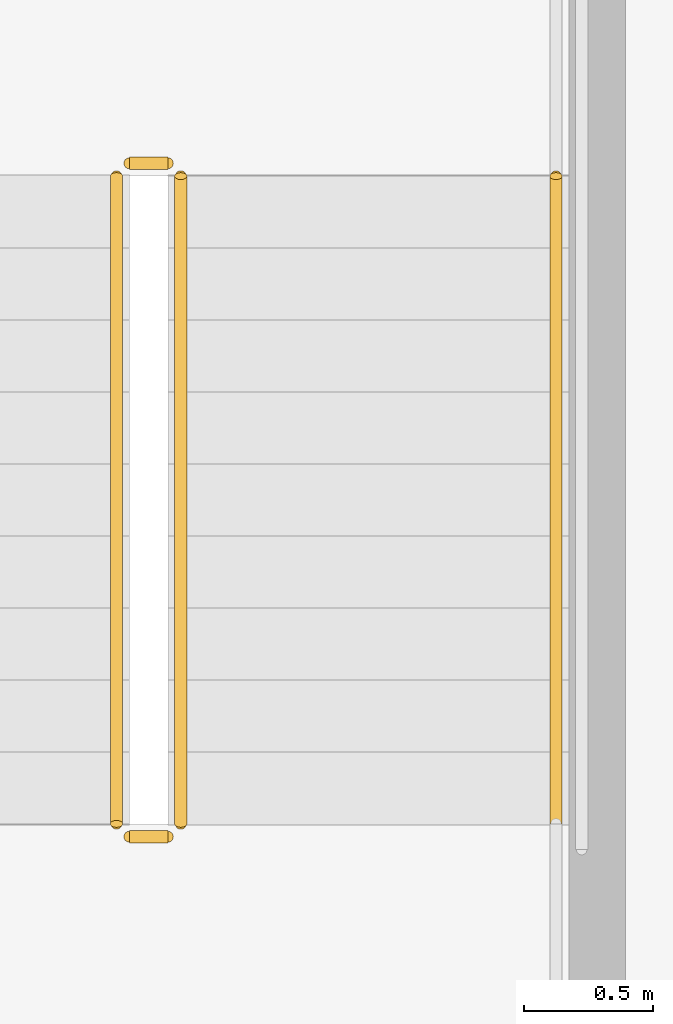
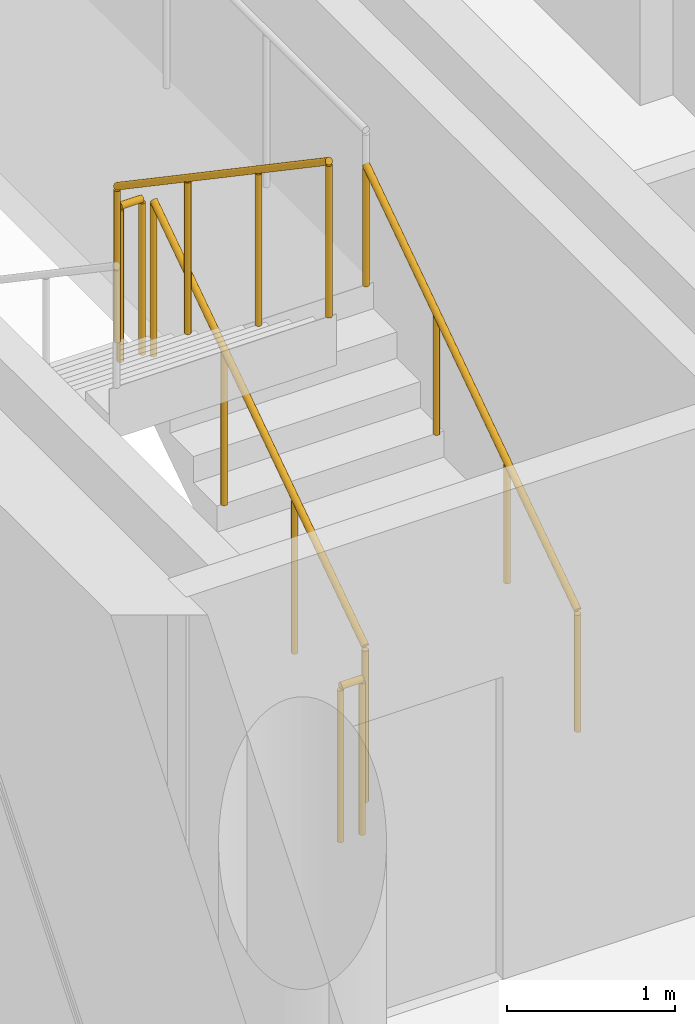
# One storey, part 14 of 16: 5 railings.
"""IFC4 building model written with IfcOpenShell, lengths in metres."""

import ifcopenshell
import ifcopenshell.guid

model = None  # the IFC model being written
_history = None  # IfcOwnerHistory: only IFC2X3 demands one
_inside = {}  # id of a spatial element -> (the spatial element, [elements in it])
_under = {}  # id of a project, library or spatial element -> (it, [spatial elements below it])
_declared = {}  # id of a project -> (the project, [libraries it declares])
_typed = {}  # id of a type object -> (the type object, [elements of that type])
_made_of = {}  # id of a material, layer set ... -> (it, [elements and type objects made of it])


def new_model(schema):
    """Start an empty IFC model of exactly this schema.

    Asked for "IFC4X3", IfcOpenShell would pick the latest addendum, in which some entities
    have other attributes; the version numbers below select the first issue.
    IFC2X3 requires an IfcOwnerHistory on every rooted entity: one is made here for all.
    """
    global model, _history
    if schema == "IFC4X3":
        model = ifcopenshell.file(schema_version=(4, 3, 0, 0))
    else:
        model = ifcopenshell.file(schema=schema)
    _inside.clear()
    _under.clear()
    _declared.clear()
    _typed.clear()
    _made_of.clear()
    _history = None
    if model.schema == "IFC2X3":
        org = make("IfcOrganization", Name="unknown")
        user = make(
            "IfcPersonAndOrganization",
            ThePerson=make("IfcPerson", FamilyName="unknown"),
            TheOrganization=org,
        )
        app = make(
            "IfcApplication",
            ApplicationDeveloper=org,
            Version="unknown",
            ApplicationFullName="unknown",
            ApplicationIdentifier="unknown",
        )
        _history = make(
            "IfcOwnerHistory",
            OwningUser=user,
            OwningApplication=app,
            ChangeAction="ADDED",
            CreationDate=0,
        )
    return model


def make(cls, **values):
    """One entity of the class cls with the attributes given. An attribute that is None is left unset."""
    return model.create_entity(
        cls, **{name: value for name, value in values.items() if value is not None}
    )


def rooted(cls, **values):
    """An entity with a GlobalId (a new one), such as an element, a storey or a relation."""
    return make(cls, GlobalId=ifcopenshell.guid.new(), OwnerHistory=_history, **values)


def si_unit(unit_type, name, prefix=None):
    """IfcSIUnit, for example si_unit("LENGTHUNIT", "METRE", prefix="MILLI")."""
    return make("IfcSIUnit", UnitType=unit_type, Prefix=prefix, Name=name)


def assignment(units):
    """IfcUnitAssignment: the units of a project."""
    return None if units is None else make("IfcUnitAssignment", Units=units)


def point(xyz):
    """IfcCartesianPoint."""
    return None if xyz is None else make("IfcCartesianPoint", Coordinates=xyz)


def direction(xyz):
    """IfcDirection."""
    return None if xyz is None else make("IfcDirection", DirectionRatios=xyz)


def frame(location, z_axis=None, x_axis=None):
    """IfcAxis2Placement3D, a coordinate frame: its origin and axes. An axis left out is left unset."""
    return make(
        "IfcAxis2Placement3D",
        Location=point(location),
        Axis=direction(z_axis),
        RefDirection=direction(x_axis),
    )


def frame_2d(location, x_axis=None):
    """IfcAxis2Placement2D, a coordinate frame in the plane: its origin and x axis."""
    return make(
        "IfcAxis2Placement2D", Location=point(location), RefDirection=direction(x_axis)
    )


def origin():
    """The frame at (0, 0, 0) with its axes left unset."""
    return frame((0.0, 0.0, 0.0))


def origin_2d():
    """The frame at (0, 0) in the plane with its x axis left unset."""
    return frame_2d((0.0, 0.0))


def place(relative_to, where):
    """IfcLocalPlacement: puts the frame where relative to a parent placement (None: the world)."""
    return make(
        "IfcLocalPlacement", PlacementRelTo=relative_to, RelativePlacement=where
    )


def context(
    kind, dimensions, precision=None, world=None, true_north=None, identifier=None
):
    """IfcGeometricRepresentationContext, for example the 3D "Model" context."""
    return make(
        "IfcGeometricRepresentationContext",
        ContextIdentifier=identifier,
        ContextType=kind,
        CoordinateSpaceDimension=dimensions,
        Precision=precision,
        WorldCoordinateSystem=world,
        TrueNorth=true_north,
    )


def subcontext(parent, identifier, kind, view, scale=None):
    """IfcGeometricRepresentationSubContext, for example "Body" below "Model"."""
    return make(
        "IfcGeometricRepresentationSubContext",
        ContextIdentifier=identifier,
        ContextType=kind,
        ParentContext=parent,
        TargetScale=scale,
        TargetView=view,
    )


def project(units=None, contexts=None):
    """IfcProject with its units and contexts."""
    return rooted(
        "IfcProject",
        Name="project",
        RepresentationContexts=contexts,
        UnitsInContext=assignment(units),
    )


def spatial(cls, under=None, at=None, **own):
    """A site, building, storey or space (cls), placed at a placement, below another one or the project."""
    s = rooted(cls, ObjectPlacement=at, **own)
    if under is not None:
        _under.setdefault(under.id(), (under, []))[1].append(s)
    return s


def profile(cls, at=None, kind="AREA", **sizes):
    """A parametric profile (cls). Its sizes go by their IFC names, for example OverallWidth=200.0."""
    return make(cls, ProfileType=kind, Position=at, **sizes)


def circle(**sizes):
    """IfcCircleProfileDef."""
    return profile("IfcCircleProfileDef", **sizes)


def extrude(swept, where, along, depth):
    """IfcExtrudedAreaSolid: the profile swept, set in the frame where, extruded along a direction by depth."""
    return make(
        "IfcExtrudedAreaSolid",
        SweptArea=swept,
        Position=where,
        ExtrudedDirection=direction(along),
        Depth=depth,
    )


def shape(context_of_items, identifier, shape_type, items):
    """IfcShapeRepresentation: the items that make up one representation, for example the "Body"."""
    return make(
        "IfcShapeRepresentation",
        ContextOfItems=context_of_items,
        RepresentationIdentifier=identifier,
        RepresentationType=shape_type,
        Items=items,
    )


def material(Name=None, Category=None):
    """IfcMaterial."""
    return make("IfcMaterial", Name=Name, Category=Category)


def made_of(thing, what):
    """Note that an element or type object is made of a material, layer set ...; save() writes the relation."""
    if what is not None:
        _made_of.setdefault(what.id(), (what, []))[1].append(thing)
    return thing


def type_object(cls, material=None, **own):
    """A type object (cls), such as IfcWallType, which elements share."""
    return made_of(rooted(cls, **own), material)


def element(
    cls,
    number,
    at=None,
    inside=None,
    cuts=None,
    type_object=None,
    material=None,
    context=None,
    identifier="Body",
    shape_type=None,
    held_by="IfcProductDefinitionShape",
    body=None,
    shapes=None,
    **own,
):
    """One element of the class cls, such as IfcWall. Its Tag is "e" and its number.

    at: its placement. inside: the storey or other place that contains it. cuts: it is an
    opening in that element (IfcRelVoidsElement). A single representation is given by context,
    identifier, shape_type and body (its items); several are given by shapes. held_by: the class
    of the entity that holds the representations. save() writes the other relations.
    """
    e = rooted(cls, Tag="e%d" % number, ObjectPlacement=at, **own)
    if body is not None:
        shapes = [shape(context, identifier, shape_type, body)]
    if shapes is not None:
        e.Representation = make(held_by, Representations=shapes)
    if inside is not None:
        _inside.setdefault(inside.id(), (inside, []))[1].append(e)
    if cuts is not None:
        rooted(
            "IfcRelVoidsElement", RelatingBuildingElement=cuts, RelatedOpeningElement=e
        )
    if type_object is not None:
        _typed.setdefault(type_object.id(), (type_object, []))[1].append(e)
    return made_of(e, material)


def aggregate(whole, parts):
    """IfcRelAggregates: a whole, such as a stair, and the parts it consists of."""
    return rooted("IfcRelAggregates", RelatingObject=whole, RelatedObjects=parts)


def save(model, path):
    """Write the relations noted so far, then the file.

    IfcRelAggregates (storeys below a building ...), IfcRelContainedInSpatialStructure (elements
    in a storey), IfcRelDefinesByType, IfcRelAssociatesMaterial and IfcRelDeclares: one each for
    every whole, place, type object, material and project.
    """
    for whole, parts in _under.values():
        aggregate(whole, parts)
    for where, things in _inside.values():
        rooted(
            "IfcRelContainedInSpatialStructure",
            RelatedElements=things,
            RelatingStructure=where,
        )
    for kind, things in _typed.values():
        rooted("IfcRelDefinesByType", RelatedObjects=things, RelatingType=kind)
    for what, things in _made_of.values():
        rooted("IfcRelAssociatesMaterial", RelatedObjects=things, RelatingMaterial=what)
    for by, libraries in _declared.values():
        rooted("IfcRelDeclares", RelatingContext=by, RelatedDefinitions=libraries)
    model.write(path)


model = new_model("IFC4")

# Units and contexts
model_context = context("Model", 3, precision=1e-05, world=origin(), true_north=direction((0.0, 1.0)))
body_context = subcontext(model_context, "Body", "Model", "MODEL_VIEW")
ifc_project = project(units=[si_unit("LENGTHUNIT", "METRE"), si_unit("AREAUNIT", "SQUARE_METRE"), si_unit("VOLUMEUNIT", "CUBIC_METRE"), si_unit("PLANEANGLEUNIT", "RADIAN"), si_unit("MASSUNIT", "GRAM", prefix="KILO")], contexts=[model_context])

# Site, building, storey
site_placement = place(None, origin())
site = spatial("IfcSite", under=ifc_project, at=site_placement, CompositionType="ELEMENT")
building_placement = place(site_placement, origin())
building = spatial("IfcBuilding", under=site, at=building_placement, Name="Khairoan Windgate Tower", CompositionType="ELEMENT")
storey_placement = place(building_placement, frame((0.0, 0.0, 311.800048828125)))
storey = spatial("IfcBuildingStorey", under=building, at=storey_placement, Name="L75", CompositionType="ELEMENT", Elevation=311.800048828125)

# Railings
ifc_material_1 = material(Name="Anodised Bronze Aluminium 6063-T6", Category="aluminium")
railing_type_1 = type_object("IfcRailingType", Name="Stair Wall Handrail SHR-900", PredefinedType="HANDRAIL", material=ifc_material_1)
railing_1_placement = place(storey_placement, frame((-16.199951171875, 2.9599609375, 0.18994140625)))
element("IfcRailing", 1, at=railing_1_placement, inside=storey, type_object=railing_type_1, Name="L75 ST2 stair handrail 1", PredefinedType="HANDRAIL", context=body_context, shape_type="SweptSolid", body=[
    extrude(circle(Radius=0.02392578125, at=origin_2d()), frame((0.0, 0.0, 0.8759765625), z_axis=(0.0, 0.827483756001, 0.561489655786), x_axis=(-1.0, 0.0, 0.0)), (0.0, 0.0, 1.0), 3.04541015625),
    extrude(circle(Radius=0.02099609375, at=origin_2d()), origin(), (0.0, 0.0, 1.0), 0.851806640625),
    extrude(circle(Radius=0.02099609375, at=origin_2d()), frame((0.0, 0.840087890625, 0.570068359375)), (0.0, 0.0, 1.0), 0.851806640625),
    extrude(circle(Radius=0.02099609375, at=origin_2d()), frame((0.0, 1.679931640625, 1.139892578125)), (0.0, 0.0, 1.0), 0.851806640625),
    extrude(circle(Radius=0.02099609375, at=origin_2d()), frame((0.0, 2.52001953125, 1.7099609375)), (0.0, 0.0, 1.0), 0.851806640625),
])
ifc_material_2 = material(Name="Steel S355", Category="steel")
railing_type_2 = type_object("IfcRailingType", Name="Stairwell Safety Guardrail SGR-1150", PredefinedType="GUARDRAIL", material=ifc_material_2)
railing_2_placement = place(storey_placement, frame((-17.659912109375, 2.9599609375, 0.18994140625)))
element("IfcRailing", 2, at=railing_2_placement, inside=storey, type_object=railing_type_2, Name="L75 ST2 stair guard 1", PredefinedType="GUARDRAIL", context=body_context, shape_type="SweptSolid", body=[
    extrude(circle(Radius=0.02392578125, at=origin_2d()), frame((0.0, 0.0, 1.1259765625), z_axis=(0.0, 0.827483756001, 0.561489655786), x_axis=(-1.0, 0.0, 0.0)), (0.0, 0.0, 1.0), 3.04541015625),
    extrude(circle(Radius=0.02099609375, at=origin_2d()), origin(), (0.0, 0.0, 1.0), 1.101806640625),
    extrude(circle(Radius=0.02099609375, at=origin_2d()), frame((0.0, 0.840087890625, 0.570068359375)), (0.0, 0.0, 1.0), 1.101806640625),
    extrude(circle(Radius=0.02099609375, at=origin_2d()), frame((0.0, 1.679931640625, 1.139892578125)), (0.0, 0.0, 1.0), 1.101806640625),
    extrude(circle(Radius=0.02099609375, at=origin_2d()), frame((0.0, 2.52001953125, 1.7099609375)), (0.0, 0.0, 1.0), 1.101806640625),
])
railing_3_placement = place(storey_placement, frame((-17.7099609375, 5.530029296875, 1.89990234375)))
element("IfcRailing", 3, at=railing_3_placement, inside=storey, type_object=railing_type_2, Name="L75 ST2 stair guard 2", PredefinedType="GUARDRAIL", context=body_context, shape_type="SweptSolid", body=[
    extrude(circle(Radius=0.02392578125, at=origin_2d()), frame((0.0, 0.0, 1.1259765625), z_axis=(-1.0, 0.0, 0.0), x_axis=(0.0, -1.0, 0.0)), (0.0, 0.0, 1.0), 0.150146484375),
    extrude(circle(Radius=0.02099609375, at=origin_2d()), origin(), (0.0, 0.0, 1.0), 1.101806640625),
    extrude(circle(Radius=0.02099609375, at=origin_2d()), frame((-0.150146484375, 0.0, 0.0)), (0.0, 0.0, 1.0), 1.101806640625),
])
railing_4_placement = place(storey_placement, frame((-17.909912109375, 5.47998046875, 2.08984375)))
element("IfcRailing", 4, at=railing_4_placement, inside=storey, type_object=railing_type_2, Name="L75 ST2 stair guard 6", PredefinedType="GUARDRAIL", context=body_context, shape_type="SweptSolid", body=[
    extrude(circle(Radius=0.02392578125, at=origin_2d()), frame((0.0, 0.0, 1.1259765625), z_axis=(0.0, -0.82744650838, 0.561544544778), x_axis=(1.0, 0.0, 0.0)), (0.0, 0.0, 1.0), 3.045654296875),
    extrude(circle(Radius=0.02099609375, at=origin_2d()), origin(), (0.0, 0.0, 1.0), 1.101806640625),
    extrude(circle(Radius=0.02099609375, at=origin_2d()), frame((0.0, -0.840087890625, 0.570068359375)), (0.0, 0.0, 1.0), 1.101806640625),
    extrude(circle(Radius=0.02099609375, at=origin_2d()), frame((0.0, -1.679931640625, 1.14013671875)), (0.0, 0.0, 1.0), 1.101806640625),
    extrude(circle(Radius=0.02099609375, at=origin_2d()), frame((0.0, -2.52001953125, 1.710205078125)), (0.0, 0.0, 1.0), 1.101806640625),
])
railing_5_placement = place(storey_placement, frame((-17.7099609375, 2.909912109375, 0.0)))
element("IfcRailing", 5, at=railing_5_placement, inside=storey, type_object=railing_type_2, Name="L75 ST2 stair guard 7", PredefinedType="GUARDRAIL", context=body_context, shape_type="SweptSolid", body=[
    extrude(circle(Radius=0.02392578125, at=origin_2d()), frame((0.0, 0.0, 1.1259765625), z_axis=(-1.0, 0.0, 0.0), x_axis=(0.0, -1.0, 0.0)), (0.0, 0.0, 1.0), 0.150146484375),
    extrude(circle(Radius=0.02099609375, at=origin_2d()), origin(), (0.0, 0.0, 1.0), 1.101806640625),
    extrude(circle(Radius=0.02099609375, at=origin_2d()), frame((-0.150146484375, 0.0, 0.0)), (0.0, 0.0, 1.0), 1.101806640625),
])

save(model, "model.ifc")
